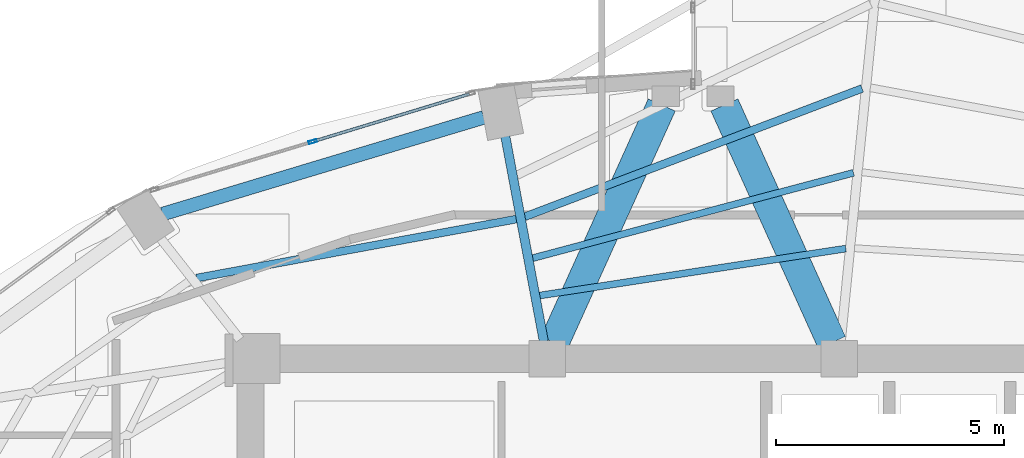
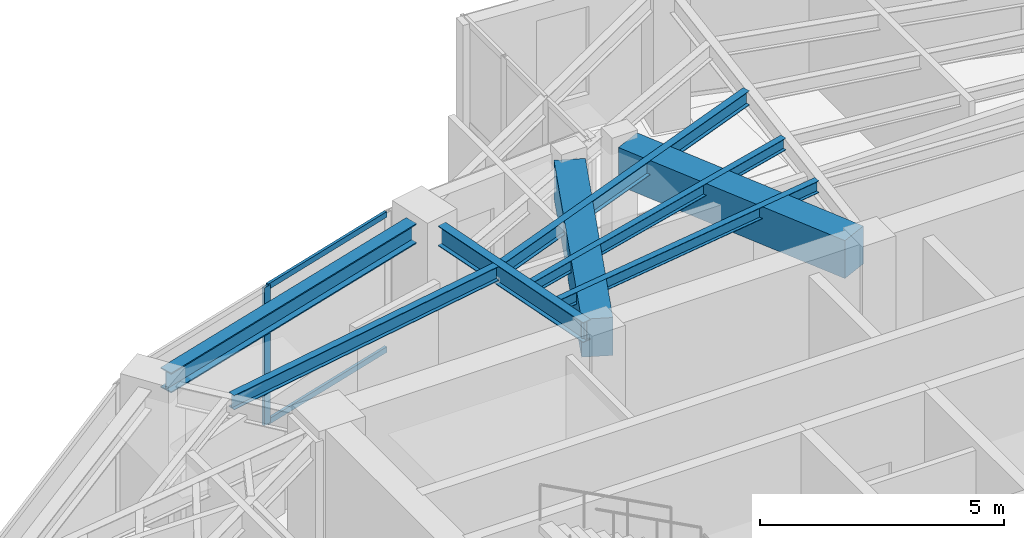
# One storey, part 11 of 23: 8 beams, 3 members, 1 element without a shape of its own.
"""IFC4 building model written with IfcOpenShell, lengths in metres."""

from ifc_helpers import new_model, si_unit, direction, frame, origin, origin_2d, place, context, subcontext, project, spatial, rectangle, hollow_rectangle, i_section, extrude, material, layer, layer_set, material_profile, profile_set, type_object, element, aggregate, save


model = new_model("IFC4")

# Units and contexts
model_context = context("Model", 3, precision=1e-05, world=origin(), true_north=direction((0.0, 1.0)))
body_context = subcontext(model_context, "Body", "Model", "MODEL_VIEW")
ifc_project = project(units=[si_unit("LENGTHUNIT", "METRE"), si_unit("AREAUNIT", "SQUARE_METRE"), si_unit("VOLUMEUNIT", "CUBIC_METRE"), si_unit("PLANEANGLEUNIT", "RADIAN"), si_unit("MASSUNIT", "GRAM", prefix="KILO")], contexts=[model_context])

# Site, building, storey
site_placement = place(None, origin())
site = spatial("IfcSite", under=ifc_project, at=site_placement, CompositionType="ELEMENT")
building_placement = place(site_placement, origin())
building = spatial("IfcBuilding", under=site, at=building_placement, Name="Lazwardi Medical Tower", CompositionType="ELEMENT")
storey_placement = place(building_placement, frame((0.0, 0.0, 205.77587890625)))
storey = spatial("IfcBuildingStorey", under=building, at=storey_placement, Name="L53", CompositionType="ELEMENT", Elevation=205.77587890625)

# Beams
ifc_material_1 = material(Name="Concrete C60/75", Category="concrete")
ifc_material_profile_1 = material_profile(ifc_material_1, rectangle(XDim=0.64990234375, YDim=0.949951171875, at=origin_2d()), Name="RC 650x950")
ifc_profile_set_1 = profile_set([ifc_material_profile_1], Name="Concrete C60/75")
beam_type_1 = type_object("IfcBeamType", Name="BM-CB-RC2", PredefinedType="LINTEL", material=ifc_profile_set_1)
for number, where, z_axis, x_axis, name in (
    (1, (32.95849609375, 35.95068359375, 2.97314453125), (0.412019279944, 0.911175127489, 0.0), (-0.911175127489, 0.412019279944, 0.0), "Core coupling lintel CB-02 PL1 L53"),
    (2, (39.04150390625, 35.95068359375, 2.97314453125), (-0.412019279944, 0.911175127489, 0.0), (-0.911175127489, -0.412019279944, 0.0), "Core coupling lintel CB-02 PL2 L53"),
):
    element("IfcBeam", number, at=place(storey_placement, frame(where, z_axis=z_axis, x_axis=x_axis)), inside=storey, type_object=beam_type_1, Name=name, PredefinedType="LINTEL", context=body_context, shape_type="SweptSolid", body=[
        extrude(rectangle(XDim=0.64990234375, YDim=0.949951171875, at=origin_2d()), origin(), (0.0, 0.0, 1.0), 5.7158203125),
    ])
ifc_material_2 = material(Name="Steel S355", Category="steel")
ifc_material_profile_2 = material_profile(ifc_material_2, i_section(OverallWidth=0.300048828125, OverallDepth=0.5, WebThickness=0.014404296875, FlangeThickness=0.028076171875, at=origin_2d()), Name="HEB 500")
ifc_profile_set_2 = profile_set([ifc_material_profile_2], Name="Steel S355")
beam_type_2 = type_object("IfcBeamType", Name="BM-RB-Z4", PredefinedType="BEAM", material=ifc_profile_set_2)
beam_1_placement = place(storey_placement, frame((31.41259765625, 40.885986328125, 3.1982421875), z_axis=(-0.957544311906, -0.288286126506, 0.0), x_axis=(0.288286126506, -0.957544311906, 0.0)))
element("IfcBeam", 3, at=beam_1_placement, inside=storey, type_object=beam_type_2, Name="Ring beam RB-05 B09 L53", PredefinedType="BEAM", context=body_context, shape_type="SweptSolid", body=[
    extrude(i_section(OverallWidth=0.300048828125, OverallDepth=0.5, WebThickness=0.014404296875, FlangeThickness=0.028076171875, at=origin_2d()), origin(), (0.0, 0.0, 1.0), 7.3515625),
])
ifc_material_profile_3 = material_profile(ifc_material_2, i_section(OverallWidth=0.199951171875, OverallDepth=0.5, WebThickness=0.01025390625, FlangeThickness=0.01611328125, at=origin_2d()), Name="IPE 500")
ifc_profile_set_3 = profile_set([ifc_material_profile_3], Name="Steel S355")
beam_type_3 = type_object("IfcBeamType", Name="BM-RG-W3", PredefinedType="BEAM", material=ifc_profile_set_3)
beam_2_placement = place(storey_placement, frame((31.884765625, 40.472412109375, 3.1982421875), z_axis=(0.184633463507, -0.982807450192, 0.0), x_axis=(0.982807450192, 0.184633463507, 0.0)))
element("IfcBeam", 4, at=beam_2_placement, inside=storey, type_object=beam_type_3, Name="Radial girder RG-04 R09 L53", PredefinedType="BEAM", context=body_context, shape_type="SweptSolid", body=[
    extrude(i_section(OverallWidth=0.199951171875, OverallDepth=0.5, WebThickness=0.01025390625, FlangeThickness=0.01611328125, at=origin_2d()), origin(), (0.0, 0.0, 1.0), 4.572509765625),
])
ifc_material_profile_4 = material_profile(ifc_material_2, i_section(OverallWidth=0.169921875, OverallDepth=0.360107421875, WebThickness=0.008056640625, FlangeThickness=0.0126953125, at=origin_2d()), Name="IPE 360")
ifc_profile_set_4 = profile_set([ifc_material_profile_4], Name="Steel S355")
beam_type_4 = type_object("IfcBeamType", Name="BM-SJ-02", PredefinedType="JOIST", material=ifc_profile_set_4)
beam_3_placement = place(storey_placement, frame((39.703125, 41.51904296875, 3.26806640625), z_axis=(-0.934714470268, -0.355399576633, 0.0), x_axis=(0.355399576633, -0.934714470268, 0.0)))
element("IfcBeam", 5, at=beam_3_placement, inside=storey, type_object=beam_type_4, Name="Secondary joist SJ-02 R2 B08 L53", PredefinedType="JOIST", context=body_context, shape_type="SweptSolid", body=[
    extrude(i_section(OverallWidth=0.169921875, OverallDepth=0.360107421875, WebThickness=0.008056640625, FlangeThickness=0.0126953125, at=origin_2d()), origin(), (0.0, 0.0, 1.0), 7.908203125),
])
beam_4_placement = place(storey_placement, frame((32.12890625, 38.65771484375, 3.26806640625), z_axis=(-0.983427965623, -0.181299300688, 0.0), x_axis=(0.181299300688, -0.983427965623, 0.0)))
element("IfcBeam", 6, at=beam_4_placement, inside=storey, type_object=beam_type_4, Name="Secondary joist SJ-02 R2 B09 L53", PredefinedType="JOIST", context=body_context, shape_type="SweptSolid", body=[
    extrude(i_section(OverallWidth=0.169921875, OverallDepth=0.360107421875, WebThickness=0.008056640625, FlangeThickness=0.0126953125, at=origin_2d()), origin(), (0.0, 0.0, 1.0), 7.127685546875),
])
ifc_material_profile_5 = material_profile(ifc_material_2, i_section(OverallWidth=0.14990234375, OverallDepth=0.300048828125, WebThickness=0.007080078125, FlangeThickness=0.0107421875, at=origin_2d()), Name="IPE 300")
ifc_profile_set_5 = profile_set([ifc_material_profile_5], Name="Steel S355")
beam_type_5 = type_object("IfcBeamType", Name="BM-SJ-03", PredefinedType="JOIST", material=ifc_profile_set_5)
beam_5_placement = place(storey_placement, frame((39.515380859375, 39.671875, 3.298095703125), z_axis=(-0.966369007826, -0.257159368316, 0.0), x_axis=(0.257159368316, -0.966369007826, 0.0)))
element("IfcBeam", 7, at=beam_5_placement, inside=storey, type_object=beam_type_5, Name="Secondary joist SJ-03 R3 B08 L53", PredefinedType="JOIST", context=body_context, shape_type="SweptSolid", body=[
    extrude(i_section(OverallWidth=0.14990234375, OverallDepth=0.300048828125, WebThickness=0.007080078125, FlangeThickness=0.0107421875, at=origin_2d()), origin(), (0.0, 0.0, 1.0), 7.27685546875),
])
beam_6_placement = place(storey_placement, frame((39.347412109375, 38.010986328125, 3.298095703125), z_axis=(-0.988433562862, -0.151654514629, 0.0), x_axis=(0.151654514629, -0.988433562862, 0.0)))
element("IfcBeam", 8, at=beam_6_placement, inside=storey, type_object=beam_type_5, Name="Secondary joist SJ-03 R4 B08 L53", PredefinedType="JOIST", context=body_context, shape_type="SweptSolid", body=[
    extrude(i_section(OverallWidth=0.14990234375, OverallDepth=0.300048828125, WebThickness=0.007080078125, FlangeThickness=0.0107421875, at=origin_2d()), origin(), (0.0, 0.0, 1.0), 6.788818359375),
])

# Curtain wall, members
ifc_material_3 = material(Name="Anodised bronze aluminium and solar control glazing", Category="aluminium")
ifc_layer = layer(ifc_material_3, 0.18994140625)
ifc_layer_set = layer_set([ifc_layer], Name="Anodised bronze aluminium and solar control glazing")
curtain_wall_type = type_object("IfcCurtainWallType", Name="CW-SYS-04", PredefinedType="NOTDEFINED", material=ifc_layer_set)
curtain_wall_placement = place(storey_placement, origin())
curtain_wall = element("IfcCurtainWall", 9, at=curtain_wall_placement, inside=storey, type_object=curtain_wall_type, Name="L53 Unitised bronze curtain wall CW-04", PredefinedType="NOTDEFINED")
ifc_material_4 = material(Name="Anodised bronze aluminium", Category="aluminium")
ifc_material_profile_6 = material_profile(ifc_material_4, hollow_rectangle(XDim=0.06494140625, YDim=0.179931640625, WallThickness=0.00390625, at=origin_2d()), Name="ALU-MULLION 180x65x4")
ifc_profile_set_6 = profile_set([ifc_material_profile_6], Name="Anodised bronze aluminium")
member_type_1 = type_object("IfcMemberType", Name="CW-MUL-03", PredefinedType="MULLION", material=ifc_profile_set_6)
member_1_placement = place(storey_placement, frame((27.66357421875, 40.355224609375, 0.0), z_axis=(0.0, 0.0, 1.0), x_axis=(0.290581889515, -0.956850126972, 0.0)))
member_1 = element("IfcMember", 10, at=member_1_placement, type_object=member_type_1, Name="CW-04 mullion 2", PredefinedType="MULLION", context=body_context, shape_type="SweptSolid", body=[
    extrude(hollow_rectangle(XDim=0.06494140625, YDim=0.179931640625, WallThickness=0.00390625, at=origin_2d()), origin(), (0.0, 0.0, 1.0), 3.4482421875),
])
ifc_material_profile_7 = material_profile(ifc_material_4, hollow_rectangle(XDim=0.06494140625, YDim=0.139892578125, WallThickness=0.00341796875, at=origin_2d()), Name="ALU-TRANSOM 140x65x3.5")
ifc_profile_set_7 = profile_set([ifc_material_profile_7], Name="Anodised bronze aluminium")
member_type_2 = type_object("IfcMemberType", Name="CW-TRN-03", PredefinedType="USERDEFINED", material=ifc_profile_set_7)
member_2_placement = place(storey_placement, frame((31.095703125, 41.397705078125, 0.03271484375), z_axis=(-0.956843409009, -0.290604010015, 0.0), x_axis=(0.290604010015, -0.956843409009, 0.0)))
member_2 = element("IfcMember", 11, at=member_2_placement, type_object=member_type_2, Name="CW-04 transom 1.1", ObjectType="TRANSOM", PredefinedType="USERDEFINED", context=body_context, shape_type="SweptSolid", body=[
    extrude(hollow_rectangle(XDim=0.06494140625, YDim=0.139892578125, WallThickness=0.00341796875, at=origin_2d()), origin(), (0.0, 0.0, 1.0), 3.554443359375),
])
member_3_placement = place(storey_placement, frame((31.095703125, 41.397705078125, 3.41552734375), z_axis=(-0.956843409009, -0.290604010015, 0.0), x_axis=(0.290604010015, -0.956843409009, 0.0)))
member_3 = element("IfcMember", 12, at=member_3_placement, type_object=member_type_2, Name="CW-04 transom 1.2", ObjectType="TRANSOM", PredefinedType="USERDEFINED", context=body_context, shape_type="SweptSolid", body=[
    extrude(hollow_rectangle(XDim=0.06494140625, YDim=0.139892578125, WallThickness=0.00341796875, at=origin_2d()), origin(), (0.0, 0.0, 1.0), 3.554443359375),
])
aggregate(curtain_wall, [member_1, member_2, member_3])

save(model, "model.ifc")
